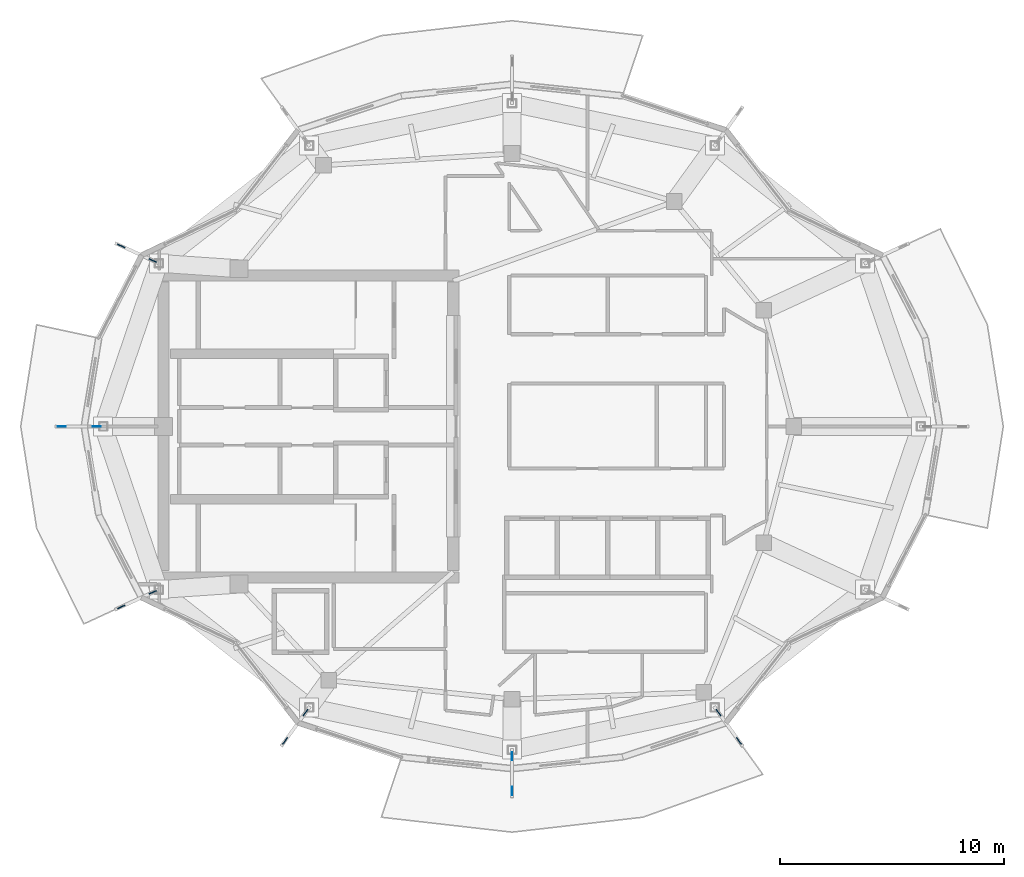
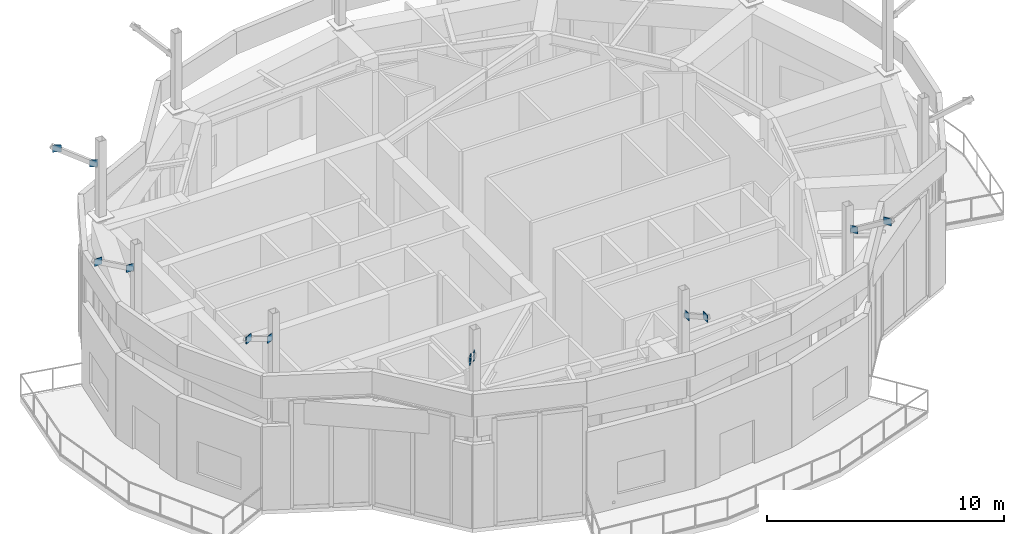
# One storey, part 6 of 13: 12 plates.
"""IFC4 building model written with IfcOpenShell, lengths in metres."""

from ifc_helpers import new_model, si_unit, direction, frame, origin, origin_2d, place, context, subcontext, project, spatial, rectangle, extrude, material, layer, layer_set, type_object, element, save


model = new_model("IFC4")

# Units and contexts
model_context = context("Model", 3, precision=1e-05, world=origin(), true_north=direction((0.0, 1.0)))
body_context = subcontext(model_context, "Body", "Model", "MODEL_VIEW")
ifc_project = project(units=[si_unit("LENGTHUNIT", "METRE"), si_unit("AREAUNIT", "SQUARE_METRE"), si_unit("VOLUMEUNIT", "CUBIC_METRE"), si_unit("PLANEANGLEUNIT", "RADIAN"), si_unit("MASSUNIT", "GRAM", prefix="KILO")], contexts=[model_context])

# Site, building, storey
site_placement = place(None, origin())
site = spatial("IfcSite", under=ifc_project, at=site_placement, CompositionType="ELEMENT")
building_placement = place(site_placement, origin())
building = spatial("IfcBuilding", under=site, at=building_placement, Name="Kolvaren Gate Tower and Convention Centre", CompositionType="ELEMENT")
storey_placement = place(building_placement, frame((0.0, 0.0, 281.60009765625)))
storey = spatial("IfcBuildingStorey", under=building, at=storey_placement, Name="L76", CompositionType="ELEMENT", Elevation=281.60009765625)

# Plates
ifc_material = material(Name="Structural steel plate ASTM A572 Grade 345 MPa", Category="steel")
ifc_layer = layer(ifc_material, 0.035888671875)
ifc_layer_set = layer_set([ifc_layer], Name="Structural steel plate ASTM A572 Grade 345 MPa")
plate_type = type_object("IfcPlateType", Name="STR-PL-END-36", PredefinedType="USERDEFINED", material=ifc_layer_set)
for number, where, z_axis, x_axis, name in (
    (1, (14.067138671875, 34.4169921875, 8.28271484375), (0.0, 0.0, 1.0), (-0.907836768102, 0.419323744237, 0.0), "Crown Canopy Strut End Gusset Plate CGP-06-IN"),
    (2, (12.65625, 35.068603515625, 9.142578125), (0.0, 0.0, 1.0), (-0.907836768102, 0.419323744237, 0.0), "Crown Canopy Strut End Gusset Plate CGP-06-OUT"),
    (3, (11.555908203125, 27.0, 8.28271484375), (0.0, 0.0, 1.0), (-1.0, 0.0, 0.0), "Crown Canopy Strut End Gusset Plate CGP-07-IN"),
    (4, (10.001953125, 27.0, 9.142578125), (0.0, 0.0, 1.0), (-1.0, 0.0, 0.0), "Crown Canopy Strut End Gusset Plate CGP-07-OUT"),
    (5, (14.067138671875, 19.5830078125, 8.28271484375), (0.0, 0.0, 1.0), (-0.907836768102, -0.419323744237, 0.0), "Crown Canopy Strut End Gusset Plate CGP-08-IN"),
    (6, (12.65625, 18.931396484375, 9.142578125), (0.0, 0.0, 1.0), (-0.907836768102, -0.419323744237, 0.0), "Crown Canopy Strut End Gusset Plate CGP-08-OUT"),
    (7, (20.887939453125, 14.20068359375, 8.28271484375), (0.0, 0.0, 1.0), (-0.585185559209, -0.810899415028, 0.0), "Crown Canopy Strut End Gusset Plate CGP-09-IN"),
    (8, (19.978515625, 12.9404296875, 9.142578125), (0.0, 0.0, 1.0), (-0.585185559209, -0.810899415028, 0.0), "Crown Canopy Strut End Gusset Plate CGP-09-OUT"),
    (9, (30.125, 12.256103515625, 8.28271484375), (0.0, 0.0, 1.0), (0.0, -1.0, 0.0), "Crown Canopy Strut End Gusset Plate CGP-10-IN"),
    (10, (30.125, 10.701904296875, 9.142578125), (0.0, 0.0, 1.0), (0.0, -1.0, 0.0), "Crown Canopy Strut End Gusset Plate CGP-10-OUT"),
    (11, (39.362060546875, 14.20068359375, 8.28271484375), (0.0, 0.0, 1.0), (0.585185559209, -0.810899415028, 0.0), "Crown Canopy Strut End Gusset Plate CGP-11-IN"),
    (12, (40.271484375, 12.9404296875, 9.142578125), (0.0, 0.0, 1.0), (0.585185559209, -0.810899415028, 0.0), "Crown Canopy Strut End Gusset Plate CGP-11-OUT"),
):
    element("IfcPlate", number, at=place(storey_placement, frame(where, z_axis=z_axis, x_axis=x_axis)), inside=storey, type_object=plate_type, Name=name, ObjectType="GUSSET PLATE", PredefinedType="USERDEFINED", context=body_context, shape_type="SweptSolid", body=[
        extrude(rectangle(XDim=0.360107421875, YDim=0.035888671875, at=origin_2d()), origin(), (0.0, 0.0, 1.0), 0.360107421875),
    ])

save(model, "model.ifc")
